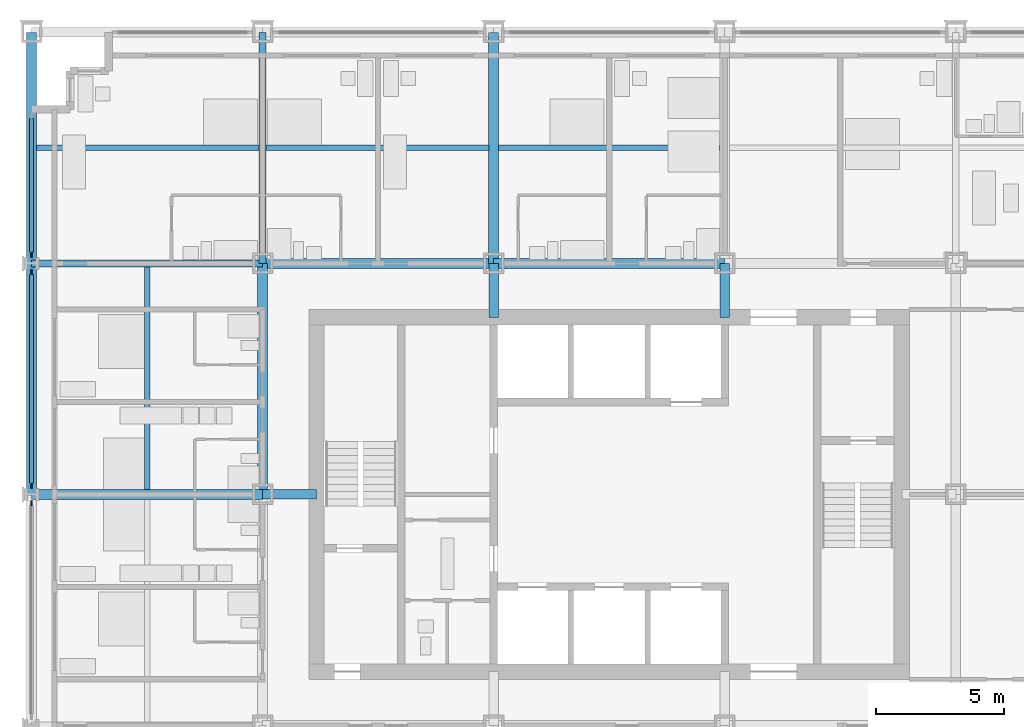
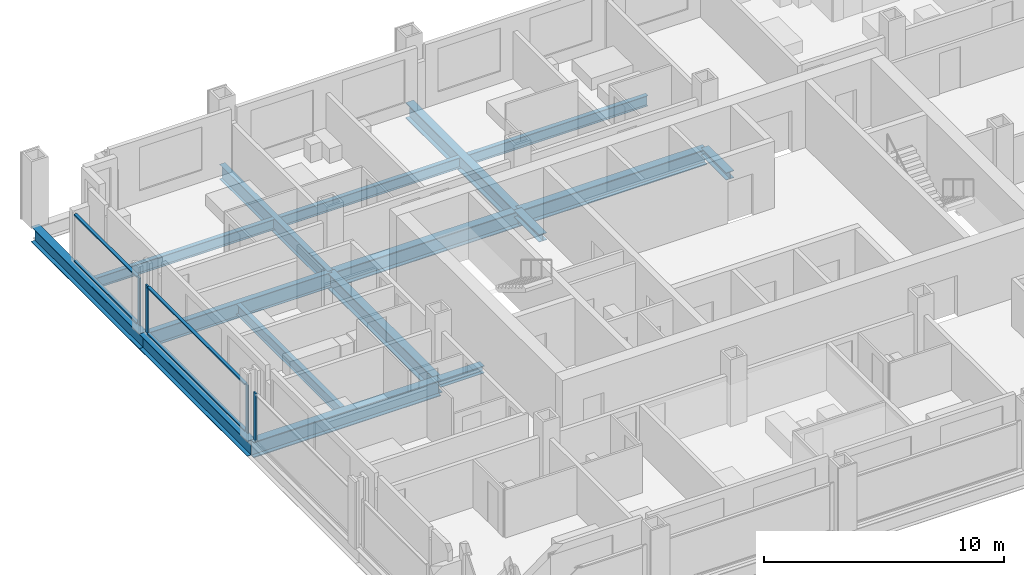
# One storey, part 4 of 18: 13 beams, 11 members, 3 elements without a shape of their own.
"""IFC4 building model written with IfcOpenShell, lengths in metres."""

from ifc_helpers import new_model, si_unit, direction, frame, origin, origin_2d, place, context, subcontext, project, spatial, rectangle, i_section, extrude, material, material_profile, profile_set, type_object, element, aggregate, save


model = new_model("IFC4")

# Units and contexts
model_context = context("Model", 3, precision=1e-05, world=origin(), true_north=direction((0.0, 1.0)))
body_context = subcontext(model_context, "Body", "Model", "MODEL_VIEW")
ifc_project = project(units=[si_unit("LENGTHUNIT", "METRE"), si_unit("AREAUNIT", "SQUARE_METRE"), si_unit("VOLUMEUNIT", "CUBIC_METRE"), si_unit("PLANEANGLEUNIT", "RADIAN"), si_unit("MASSUNIT", "GRAM", prefix="KILO")], contexts=[model_context])

# Site, building, storey
site_placement = place(None, origin())
site = spatial("IfcSite", under=ifc_project, at=site_placement, CompositionType="ELEMENT")
building_placement = place(site_placement, origin())
building = spatial("IfcBuilding", under=site, at=building_placement, Name="Loomwork Tower", CompositionType="ELEMENT")
storey_placement = place(building_placement, frame((0.0, 0.0, 51.800048828125)))
storey = spatial("IfcBuildingStorey", under=building, at=storey_placement, Name="L12", CompositionType="ELEMENT", Elevation=51.800048828125)

# Beams
ifc_material_1 = material(Name="Steel ASTM A992", Category="steel")
ifc_material_profile_1 = material_profile(ifc_material_1, i_section(OverallWidth=0.383544921875, OverallDepth=0.794921875, WebThickness=0.02099609375, FlangeThickness=0.0380859375, at=origin_2d()), Name="W30x235")
ifc_profile_set_1 = profile_set([ifc_material_profile_1], Name="Steel ASTM A992")
beam_type_1 = type_object("IfcBeamType", Name="CORE FLANK GIRDER W30x235", PredefinedType="BEAM", material=ifc_profile_set_1)
for number, where, z_axis, x_axis, name in (
    (1, (0.0, 18.0, -0.59765625), (1.0, 0.0, 0.0), (0.0, 1.0, 0.0), "Core Flank Girder F/2-F/3 L12"),
    (2, (9.0, 27.0, -0.59765625), (1.0, 0.0, 0.0), (0.0, 1.0, 0.0), "Core Flank Girder G/3-G/4 L12"),
    (3, (18.0, 27.0, -0.59765625), (1.0, 0.0, 0.0), (0.0, 1.0, 0.0), "Core Flank Girder G/4-G/5 L12"),
    (4, (9.0, 18.0, -0.59765625), (0.0, 1.0, 0.0), (-1.0, 0.0, 0.0), "Core Flank Girder F/3-G/3 L12"),
    (5, (18.0, 27.0, -0.59765625), (0.0, 1.0, 0.0), (-1.0, 0.0, 0.0), "Core Flank Girder G/4-H/4 L12"),
):
    element("IfcBeam", number, at=place(storey_placement, frame(where, z_axis=z_axis, x_axis=x_axis)), inside=storey, type_object=beam_type_1, Name=name, PredefinedType="BEAM", context=body_context, shape_type="SweptSolid", body=[
        extrude(i_section(OverallWidth=0.383544921875, OverallDepth=0.794921875, WebThickness=0.02099609375, FlangeThickness=0.0380859375, at=origin_2d()), origin(), (0.0, 0.0, 1.0), 9.0),
    ])

# Members
ifc_material_2 = material(Name="Steel ASTM A992", Category="steel")
ifc_material_profile_2 = material_profile(ifc_material_2, i_section(OverallWidth=0.373291015625, OverallDepth=0.373291015625, WebThickness=0.016357421875, FlangeThickness=0.026123046875, at=origin_2d()), Name="W14x132")
ifc_profile_set_2 = profile_set([ifc_material_profile_2], Name="Steel ASTM A992")
member_type_1 = type_object("IfcMemberType", Name="CORE LINK STRUT W14x132", PredefinedType="STRUT", material=ifc_profile_set_2)
for number, where, z_axis, x_axis, name in (
    (6, (27.0, 27.0, -0.38671875), (0.0, -1.0, 0.0), (1.0, 0.0, 0.0), "Core link strut G/5-27.000,24.900 L12"),
    (7, (18.0, 27.0, -0.38671875), (0.0, -1.0, 0.0), (1.0, 0.0, 0.0), "Core link strut G/4-18.000,24.900 L12"),
    (8, (9.0, 18.0, -0.38671875), (1.0, 0.0, 0.0), (0.0, 1.0, 0.0), "Core link strut F/3-11.100,18.000 L12"),
):
    element("IfcMember", number, at=place(storey_placement, frame(where, z_axis=z_axis, x_axis=x_axis)), inside=storey, type_object=member_type_1, Name=name, PredefinedType="STRUT", context=body_context, shape_type="SweptSolid", body=[
        extrude(i_section(OverallWidth=0.373291015625, OverallDepth=0.373291015625, WebThickness=0.016357421875, FlangeThickness=0.026123046875, at=origin_2d()), origin(), (0.0, 0.0, 1.0), 2.10009765625),
    ])

# Beams
ifc_material_3 = material(Name="Steel ASTM A992", Category="steel")
ifc_material_profile_3 = material_profile(ifc_material_3, i_section(OverallWidth=0.2666015625, OverallDepth=0.761962890625, WebThickness=0.014404296875, FlangeThickness=0.021484375, at=origin_2d()), Name="W30x116")
ifc_profile_set_3 = profile_set([ifc_material_profile_3], Name="Steel ASTM A992")
beam_type_2 = type_object("IfcBeamType", Name="FLOOR GIRDER W30x116", PredefinedType="BEAM", material=ifc_profile_set_3)
for number, where, z_axis, x_axis, name in (
    (9, (0.0, 27.0, -0.5810546875), (1.0, 0.0, 0.0), (0.0, 1.0, 0.0), "Floor Girder G/2-G/3 L12"),
    (10, (9.0, 27.0, -0.5810546875), (0.0, 1.0, 0.0), (-1.0, 0.0, 0.0), "Floor Girder G/3-H/3 L12"),
):
    element("IfcBeam", number, at=place(storey_placement, frame(where, z_axis=z_axis, x_axis=x_axis)), inside=storey, type_object=beam_type_2, Name=name, PredefinedType="BEAM", context=body_context, shape_type="SweptSolid", body=[
        extrude(i_section(OverallWidth=0.2666015625, OverallDepth=0.761962890625, WebThickness=0.014404296875, FlangeThickness=0.021484375, at=origin_2d()), origin(), (0.0, 0.0, 1.0), 9.0),
    ])
ifc_material_4 = material(Name="Steel ASTM A992", Category="steel")
ifc_material_profile_4 = material_profile(ifc_material_4, i_section(OverallWidth=0.2109375, OverallDepth=0.53857421875, WebThickness=0.011474609375, FlangeThickness=0.018798828125, at=origin_2d()), Name="W21x73")
ifc_profile_set_4 = profile_set([ifc_material_profile_4], Name="Steel ASTM A992")
beam_type_3 = type_object("IfcBeamType", Name="FLOOR JOIST W21x73", PredefinedType="JOIST", material=ifc_profile_set_4)
beam_1_placement = place(storey_placement, frame((4.5, 18.19091796875, -0.46923828125), z_axis=(0.0, 1.0, 0.0), x_axis=(-1.0, 0.0, 0.0)))
element("IfcBeam", 11, at=beam_1_placement, inside=storey, type_object=beam_type_3, Name="Floor Joist 4.500,18.000-4.500,27.000 L12", PredefinedType="JOIST", context=body_context, shape_type="SweptSolid", body=[
    extrude(i_section(OverallWidth=0.2109375, OverallDepth=0.53857421875, WebThickness=0.011474609375, FlangeThickness=0.018798828125, at=origin_2d()), origin(), (0.0, 0.0, 1.0), 8.676025390625),
])
beam_2_placement = place(storey_placement, frame((0.18994140625, 31.5, -0.46923828125), z_axis=(1.0, 0.0, 0.0), x_axis=(0.0, 1.0, 0.0)))
element("IfcBeam", 12, at=beam_2_placement, inside=storey, type_object=beam_type_3, Name="Floor Joist 0.000,31.500-9.000,31.500 L12", PredefinedType="JOIST", context=body_context, shape_type="SweptSolid", body=[
    extrude(i_section(OverallWidth=0.2109375, OverallDepth=0.53857421875, WebThickness=0.011474609375, FlangeThickness=0.018798828125, at=origin_2d()), origin(), (0.0, 0.0, 1.0), 8.677001953125),
])
beam_3_placement = place(storey_placement, frame((9.133056640625, 31.5, -0.46923828125), z_axis=(1.0, 0.0, 0.0), x_axis=(0.0, 1.0, 0.0)))
element("IfcBeam", 13, at=beam_3_placement, inside=storey, type_object=beam_type_3, Name="Floor Joist 9.000,31.500-18.000,31.500 L12", PredefinedType="JOIST", context=body_context, shape_type="SweptSolid", body=[
    extrude(i_section(OverallWidth=0.2109375, OverallDepth=0.53857421875, WebThickness=0.011474609375, FlangeThickness=0.018798828125, at=origin_2d()), origin(), (0.0, 0.0, 1.0), 8.676025390625),
])
beam_4_placement = place(storey_placement, frame((18.19091796875, 31.5, -0.46923828125), z_axis=(1.0, 0.0, 0.0), x_axis=(0.0, 1.0, 0.0)))
element("IfcBeam", 14, at=beam_4_placement, inside=storey, type_object=beam_type_3, Name="Floor Joist 18.000,31.500-27.000,31.500 L12", PredefinedType="JOIST", context=body_context, shape_type="SweptSolid", body=[
    extrude(i_section(OverallWidth=0.2109375, OverallDepth=0.53857421875, WebThickness=0.011474609375, FlangeThickness=0.018798828125, at=origin_2d()), origin(), (0.0, 0.0, 1.0), 8.6181640625),
])

# Curtain wall, member
ifc_material_5 = material(Name="Aluminium curtain wall frame", Category="aluminium")
curtain_wall_type = type_object("IfcCurtainWallType", Name="Outer skin glazing hotel", PredefinedType="NOTDEFINED", material=ifc_material_5)
curtain_wall_1_placement = place(storey_placement, origin())
curtain_wall_1 = element("IfcCurtainWall", 15, at=curtain_wall_1_placement, inside=storey, type_object=curtain_wall_type, Name="Outer skin glazing hotel cw/W-9", PredefinedType="NOTDEFINED")
ifc_material_6 = material(Name="Aluminium curtain wall frame", Category="aluminium")
ifc_material_profile_5 = material_profile(ifc_material_6, rectangle(XDim=0.06494140625, YDim=0.199951171875, at=origin_2d()), Name="AL 65x200")
ifc_profile_set_5 = profile_set([ifc_material_profile_5], Name="Aluminium curtain wall frame")
member_type_2 = type_object("IfcMemberType", Name="Outer skin glazing hotel mullion", PredefinedType="MULLION", material=ifc_profile_set_5)
member_1_placement = place(storey_placement, frame((0.0, 17.6611328125, 0.0), z_axis=(0.0, 0.0, 1.0), x_axis=(1.0, 0.0, 0.0)))
member_1 = element("IfcMember", 16, at=member_1_placement, type_object=member_type_2, Name="CW1 mullion 1", PredefinedType="MULLION", context=body_context, shape_type="SweptSolid", body=[
    extrude(rectangle(XDim=0.06494140625, YDim=0.199951171875, at=origin_2d()), origin(), (0.0, 0.0, 1.0), 2.420166015625),
])
aggregate(curtain_wall_1, [member_1])

# Curtain wall, members
curtain_wall_2_placement = place(storey_placement, origin())
curtain_wall_2 = element("IfcCurtainWall", 17, at=curtain_wall_2_placement, inside=storey, type_object=curtain_wall_type, Name="Outer skin glazing hotel cw/W-18", PredefinedType="NOTDEFINED")
member_2_placement = place(storey_placement, frame((0.0, 26.6611328125, 0.0), z_axis=(0.0, 0.0, 1.0), x_axis=(1.0, 0.0, 0.0)))
member_2 = element("IfcMember", 18, at=member_2_placement, type_object=member_type_2, Name="CW1 mullion 1", PredefinedType="MULLION", context=body_context, shape_type="SweptSolid", body=[
    extrude(rectangle(XDim=0.06494140625, YDim=0.199951171875, at=origin_2d()), origin(), (0.0, 0.0, 1.0), 2.420166015625),
])
member_3_placement = place(storey_placement, frame((0.0, 18.3388671875, 0.0), z_axis=(0.0, 0.0, 1.0), x_axis=(1.0, 0.0, 0.0)))
member_3 = element("IfcMember", 19, at=member_3_placement, type_object=member_type_2, Name="CW1 mullion 2", PredefinedType="MULLION", context=body_context, shape_type="SweptSolid", body=[
    extrude(rectangle(XDim=0.06494140625, YDim=0.199951171875, at=origin_2d()), origin(), (0.0, 0.0, 1.0), 2.420166015625),
])

# Curtain wall, member
curtain_wall_3_placement = place(storey_placement, origin())
curtain_wall_3 = element("IfcCurtainWall", 20, at=curtain_wall_3_placement, inside=storey, type_object=curtain_wall_type, Name="Outer skin glazing hotel cw/W-27", PredefinedType="NOTDEFINED")
member_4_placement = place(storey_placement, frame((0.0, 27.3388671875, 0.0), z_axis=(0.0, 0.0, 1.0), x_axis=(1.0, 0.0, 0.0)))
member_4 = element("IfcMember", 21, at=member_4_placement, type_object=member_type_2, Name="CW1 mullion 2", PredefinedType="MULLION", context=body_context, shape_type="SweptSolid", body=[
    extrude(rectangle(XDim=0.06494140625, YDim=0.199951171875, at=origin_2d()), origin(), (0.0, 0.0, 1.0), 2.420166015625),
])

# Member
ifc_material_7 = material(Name="Aluminium curtain wall frame", Category="aluminium")
ifc_material_profile_6 = material_profile(ifc_material_7, rectangle(XDim=0.14990234375, YDim=0.06494140625, at=origin_2d()), Name="AL 65x150")
ifc_profile_set_6 = profile_set([ifc_material_profile_6], Name="Aluminium curtain wall frame")
member_type_3 = type_object("IfcMemberType", Name="Outer skin glazing hotel transom", PredefinedType="USERDEFINED", material=ifc_profile_set_6)
member_5_placement = place(storey_placement, frame((0.0, 26.561279296875, 0.032470703125), z_axis=(0.0, -1.0, 0.0), x_axis=(1.0, 0.0, 0.0)))
member_5 = element("IfcMember", 22, at=member_5_placement, type_object=member_type_3, Name="CW1 transom 1.1", ObjectType="TRANSOM", PredefinedType="USERDEFINED", context=body_context, shape_type="SweptSolid", body=[
    extrude(rectangle(XDim=0.14990234375, YDim=0.06494140625, at=origin_2d()), origin(), (0.0, 0.0, 1.0), 8.12255859375),
])

member_6_placement = place(storey_placement, frame((0.0, 26.561279296875, 2.3876953125), z_axis=(0.0, -1.0, 0.0), x_axis=(1.0, 0.0, 0.0)))
member_6 = element("IfcMember", 23, at=member_6_placement, type_object=member_type_3, Name="CW1 transom 1.2", ObjectType="TRANSOM", PredefinedType="USERDEFINED", context=body_context, shape_type="SweptSolid", body=[
    extrude(rectangle(XDim=0.14990234375, YDim=0.06494140625, at=origin_2d()), origin(), (0.0, 0.0, 1.0), 8.12255859375),
])

aggregate(curtain_wall_2, [member_2, member_3, member_5, member_6])

member_7_placement = place(storey_placement, frame((0.0, 32.64990234375, 0.032470703125), z_axis=(0.0, -1.0, 0.0), x_axis=(1.0, 0.0, 0.0)))
member_7 = element("IfcMember", 24, at=member_7_placement, type_object=member_type_3, Name="CW1 transom 1.1", ObjectType="TRANSOM", PredefinedType="USERDEFINED", context=body_context, shape_type="SweptSolid", body=[
    extrude(rectangle(XDim=0.14990234375, YDim=0.06494140625, at=origin_2d()), origin(), (0.0, 0.0, 1.0), 5.211181640625),
])

member_8_placement = place(storey_placement, frame((0.0, 32.64990234375, 2.3876953125), z_axis=(0.0, -1.0, 0.0), x_axis=(1.0, 0.0, 0.0)))
member_8 = element("IfcMember", 25, at=member_8_placement, type_object=member_type_3, Name="CW1 transom 1.2", ObjectType="TRANSOM", PredefinedType="USERDEFINED", context=body_context, shape_type="SweptSolid", body=[
    extrude(rectangle(XDim=0.14990234375, YDim=0.06494140625, at=origin_2d()), origin(), (0.0, 0.0, 1.0), 5.211181640625),
])

aggregate(curtain_wall_3, [member_4, member_7, member_8])

# Beams
ifc_material_8 = material(Name="Steel ASTM A992", Category="steel")
ifc_material_profile_7 = material_profile(ifc_material_8, i_section(OverallWidth=0.381103515625, OverallDepth=0.77978515625, WebThickness=0.01806640625, FlangeThickness=0.0302734375, at=origin_2d()), Name="W30x191")
ifc_profile_set_7 = profile_set([ifc_material_profile_7], Name="Steel ASTM A992")
beam_type_4 = type_object("IfcBeamType", Name="SPANDREL GIRDER W30x191", PredefinedType="SPANDREL", material=ifc_profile_set_7)
for number, where, z_axis, x_axis, name in (
    (26, (0.0, 18.0, -0.58984375), (0.0, 1.0, 0.0), (-1.0, 0.0, 0.0), "Spandrel Girder F/2-G/2 L12"),
    (27, (0.0, 27.0, -0.58984375), (0.0, 1.0, 0.0), (-1.0, 0.0, 0.0), "Spandrel Girder G/2-H/2 L12"),
):
    element("IfcBeam", number, at=place(storey_placement, frame(where, z_axis=z_axis, x_axis=x_axis)), inside=storey, type_object=beam_type_4, Name=name, PredefinedType="SPANDREL", context=body_context, shape_type="SweptSolid", body=[
        extrude(i_section(OverallWidth=0.381103515625, OverallDepth=0.77978515625, WebThickness=0.01806640625, FlangeThickness=0.0302734375, at=origin_2d()), origin(), (0.0, 0.0, 1.0), 9.0),
    ])

save(model, "model.ifc")
